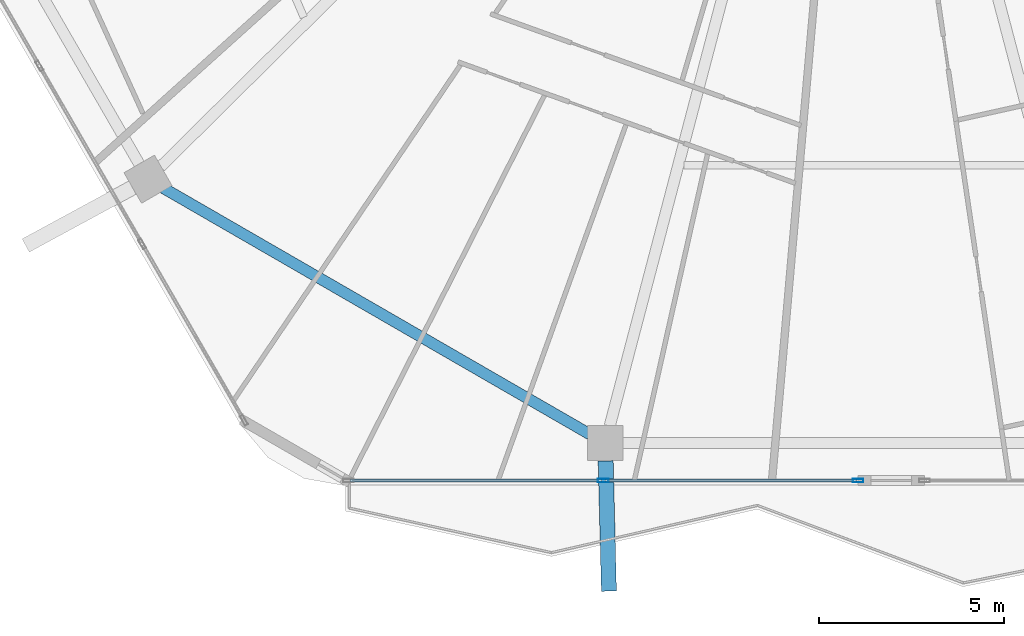
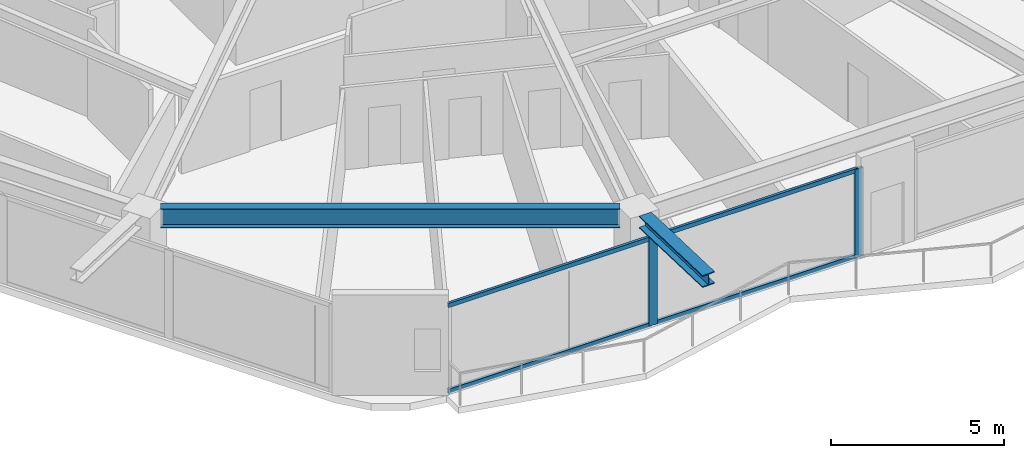
# One storey, part 3 of 25: 6 members, 2 beams, 1 element without a shape of its own.
"""IFC4 building model written with IfcOpenShell, lengths in metres."""

from ifc_helpers import new_model, si_unit, direction, frame, origin, origin_2d, place, context, subcontext, project, spatial, hollow_rectangle, i_section, extrude, material, material_profile, profile_set, type_object, element, aggregate, save


model = new_model("IFC4")

# Units and contexts
model_context = context("Model", 3, precision=1e-05, world=origin(), true_north=direction((0.0, 1.0)))
body_context = subcontext(model_context, "Body", "Model", "MODEL_VIEW")
ifc_project = project(units=[si_unit("LENGTHUNIT", "METRE"), si_unit("AREAUNIT", "SQUARE_METRE"), si_unit("VOLUMEUNIT", "CUBIC_METRE"), si_unit("PLANEANGLEUNIT", "RADIAN"), si_unit("MASSUNIT", "GRAM", prefix="KILO")], contexts=[model_context])

# Site, building, storey
site_placement = place(None, origin())
site = spatial("IfcSite", under=ifc_project, at=site_placement, CompositionType="ELEMENT")
building_placement = place(site_placement, origin())
building = spatial("IfcBuilding", under=site, at=building_placement, Name="Zuhravey Tower", CompositionType="ELEMENT")
storey_placement = place(building_placement, frame((0.0, 0.0, 196.0)))
storey = spatial("IfcBuildingStorey", under=building, at=storey_placement, Name="L49", CompositionType="ELEMENT", Elevation=196.0)

# Curtain wall, members
ifc_material_1 = material(Name="Thermally broken anodised aluminium", Category="aluminium")
curtain_wall_type = type_object("IfcCurtainWallType", Name="Zone 1-2 Residential Curtain Wall CW3", PredefinedType="NOTDEFINED", material=ifc_material_1)
curtain_wall_placement = place(storey_placement, origin())
curtain_wall = element("IfcCurtainWall", 1, at=curtain_wall_placement, inside=storey, type_object=curtain_wall_type, Name="L49 CW3 CW-L49-F5-2", PredefinedType="NOTDEFINED")
ifc_material_2 = material(Name="Anodised aluminium", Category="aluminium")
ifc_material_profile_1 = material_profile(ifc_material_2, hollow_rectangle(XDim=0.090087890625, YDim=0.284912109375, WallThickness=0.0048828125, at=origin_2d()), Name="ALU-RHS-90x285x5")
ifc_profile_set_1 = profile_set([ifc_material_profile_1], Name="Anodised aluminium")
member_type_1 = type_object("IfcMemberType", Name="Curtain-Wall Mullion 90x180", PredefinedType="MULLION", material=ifc_profile_set_1)
member_1_placement = place(storey_placement, frame((35.947021484375, 4.81689453125, 0.0), z_axis=(0.0, 0.0, 1.0), x_axis=(0.0, -1.0, 0.0)))
member_1 = element("IfcMember", 2, at=member_1_placement, type_object=member_type_1, Name="CW3 mullion 1", PredefinedType="MULLION", context=body_context, shape_type="SweptSolid", body=[
    extrude(hollow_rectangle(XDim=0.090087890625, YDim=0.284912109375, WallThickness=0.0048828125, at=origin_2d()), origin(), (0.0, 0.0, 1.0), 3.1220703125),
])
member_2_placement = place(storey_placement, frame((29.0654296875, 4.81689453125, 0.0), z_axis=(0.0, 0.0, 1.0), x_axis=(0.0, -1.0, 0.0)))
member_2 = element("IfcMember", 3, at=member_2_placement, type_object=member_type_1, Name="CW3 mullion 2", PredefinedType="MULLION", context=body_context, shape_type="SweptSolid", body=[
    extrude(hollow_rectangle(XDim=0.090087890625, YDim=0.284912109375, WallThickness=0.0048828125, at=origin_2d()), origin(), (0.0, 0.0, 1.0), 3.1220703125),
])
ifc_material_profile_2 = material_profile(ifc_material_2, hollow_rectangle(XDim=0.090087890625, YDim=0.14990234375, WallThickness=0.0048828125, at=origin_2d()), Name="ALU-RHS-90x150x5")
ifc_profile_set_2 = profile_set([ifc_material_profile_2], Name="Anodised aluminium")
member_type_2 = type_object("IfcMemberType", Name="Curtain-Wall Transom 90x150", PredefinedType="USERDEFINED", material=ifc_profile_set_2)
member_3_placement = place(storey_placement, frame((35.902099609375, 4.81689453125, 0.044921875), z_axis=(-1.0, 0.0, 0.0), x_axis=(0.0, -1.0, 0.0)))
member_3 = element("IfcMember", 4, at=member_3_placement, type_object=member_type_2, Name="CW3 transom 1.1", ObjectType="TRANSOM", PredefinedType="USERDEFINED", context=body_context, shape_type="SweptSolid", body=[
    extrude(hollow_rectangle(XDim=0.090087890625, YDim=0.14990234375, WallThickness=0.0048828125, at=origin_2d()), origin(), (0.0, 0.0, 1.0), 6.79150390625),
])
member_4_placement = place(storey_placement, frame((35.902099609375, 4.81689453125, 3.076904296875), z_axis=(-1.0, 0.0, 0.0), x_axis=(0.0, -1.0, 0.0)))
member_4 = element("IfcMember", 5, at=member_4_placement, type_object=member_type_2, Name="CW3 transom 1.2", ObjectType="TRANSOM", PredefinedType="USERDEFINED", context=body_context, shape_type="SweptSolid", body=[
    extrude(hollow_rectangle(XDim=0.090087890625, YDim=0.14990234375, WallThickness=0.0048828125, at=origin_2d()), origin(), (0.0, 0.0, 1.0), 6.79150390625),
])
member_5_placement = place(storey_placement, frame((29.0205078125, 4.81689453125, 0.044921875), z_axis=(-1.0, 0.0, 0.0), x_axis=(0.0, -1.0, 0.0)))
member_5 = element("IfcMember", 6, at=member_5_placement, type_object=member_type_2, Name="CW3 transom 2.1", ObjectType="TRANSOM", PredefinedType="USERDEFINED", context=body_context, shape_type="SweptSolid", body=[
    extrude(hollow_rectangle(XDim=0.090087890625, YDim=0.14990234375, WallThickness=0.0048828125, at=origin_2d()), origin(), (0.0, 0.0, 1.0), 6.79150390625),
])
member_6_placement = place(storey_placement, frame((29.0205078125, 4.81689453125, 3.076904296875), z_axis=(-1.0, 0.0, 0.0), x_axis=(0.0, -1.0, 0.0)))
member_6 = element("IfcMember", 7, at=member_6_placement, type_object=member_type_2, Name="CW3 transom 2.2", ObjectType="TRANSOM", PredefinedType="USERDEFINED", context=body_context, shape_type="SweptSolid", body=[
    extrude(hollow_rectangle(XDim=0.090087890625, YDim=0.14990234375, WallThickness=0.0048828125, at=origin_2d()), origin(), (0.0, 0.0, 1.0), 6.79150390625),
])
aggregate(curtain_wall, [member_1, member_2, member_3, member_4, member_5, member_6])

# Beams
ifc_material_3 = material(Name="Steel SM460", Category="steel")
ifc_material_profile_3 = material_profile(ifc_material_3, i_section(OverallWidth=0.406982421875, OverallDepth=0.427978515625, WebThickness=0.02001953125, FlangeThickness=0.034912109375, at=origin_2d()), Name="H-428x407x20x35")
ifc_profile_set_3 = profile_set([ifc_material_profile_3], Name="Steel SM460")
beam_type_1 = type_object("IfcBeamType", Name="Exoskeleton Node Tie Beam H428x407", PredefinedType="BEAM", material=ifc_profile_set_3)
beam_1_placement = place(storey_placement, frame((29.130126953125, 5.347900390625, 3.3359375), z_axis=(0.025127461498, -0.999684255492, 0.0), x_axis=(0.999684255492, 0.025127461498, 0.0)))
element("IfcBeam", 8, at=beam_1_placement, inside=storey, type_object=beam_type_1, Name="L49 Exoskeleton Node Tie NT1-09", PredefinedType="BEAM", context=body_context, shape_type="SweptSolid", body=[
    extrude(i_section(OverallWidth=0.406982421875, OverallDepth=0.427978515625, WebThickness=0.02001953125, FlangeThickness=0.034912109375, at=origin_2d()), origin(), (0.0, 0.0, 1.0), 3.517333984375),
])
ifc_material_4 = material(Name="Steel SM355", Category="steel")
ifc_material_profile_4 = material_profile(ifc_material_4, i_section(OverallWidth=0.300048828125, OverallDepth=0.679931640625, WebThickness=0.012939453125, FlangeThickness=0.02197265625, at=origin_2d()), Name="H-680x300x13x22")
ifc_profile_set_4 = profile_set([ifc_material_profile_4], Name="Steel SM355")
beam_type_2 = type_object("IfcBeamType", Name="Perimeter Ring Beam H680x300", PredefinedType="BEAM", material=ifc_profile_set_4)
beam_2_placement = place(storey_placement, frame((17.1884765625, 12.71435546875, 3.2099609375), z_axis=(0.866029041019, -0.499993700073, 0.0), x_axis=(0.499993700073, 0.866029041019, 0.0)))
element("IfcBeam", 9, at=beam_2_placement, inside=storey, type_object=beam_type_2, Name="L49 PB2 BM-L49-PB-08", PredefinedType="BEAM", context=body_context, shape_type="SweptSolid", body=[
    extrude(i_section(OverallWidth=0.300048828125, OverallDepth=0.679931640625, WebThickness=0.012939453125, FlangeThickness=0.02197265625, at=origin_2d()), origin(), (0.0, 0.0, 1.0), 13.297119140625),
])

save(model, "model.ifc")
